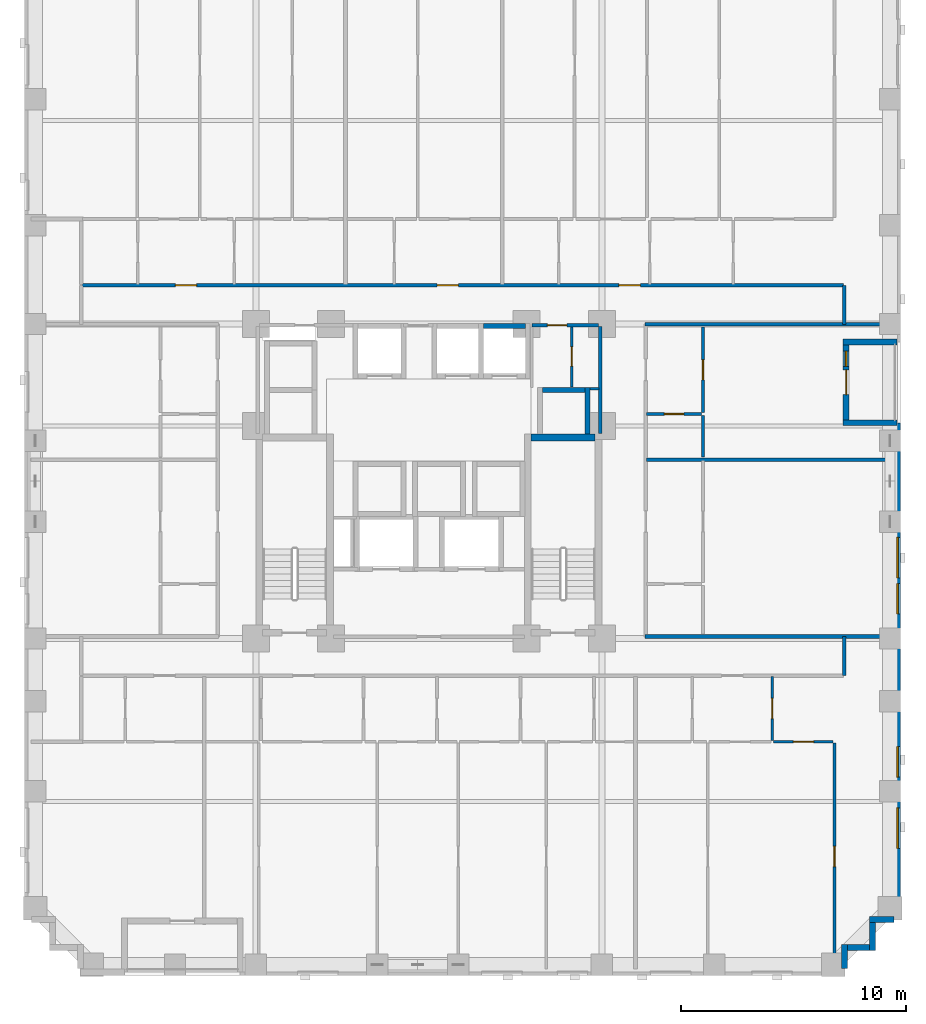
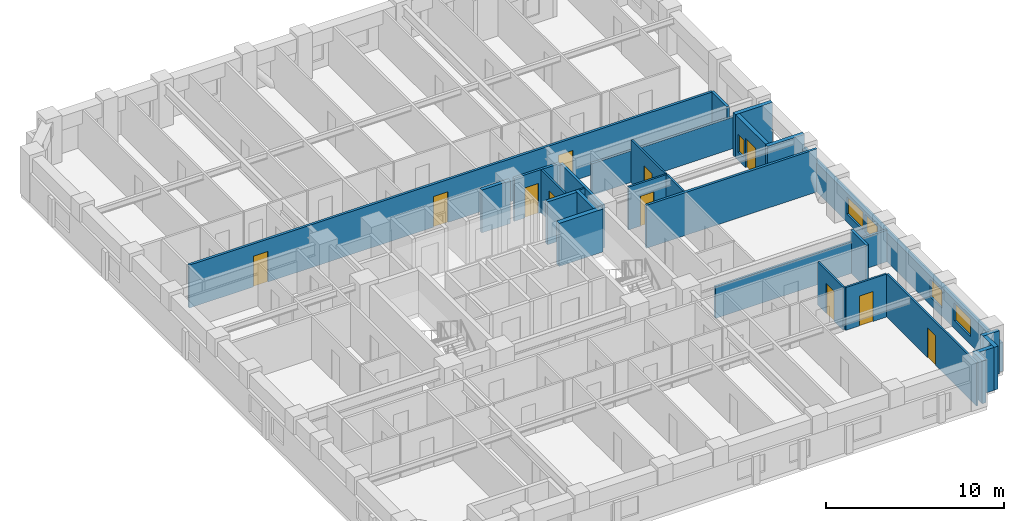
# One storey, part 6 of 13: 28 walls, 11 doors, 5 windows, 16 openings.
"""IFC4 building model written with IfcOpenShell, lengths in metres."""

from ifc_helpers import new_model, si_unit, derived_unit, direction, frame, frame_2d, origin, place, context, subcontext, project, spatial, rectangle, extrude, material, layer, layer_set, type_object, element, fill, save


model = new_model("IFC4")

# Units and contexts
model_context = context("Model", 3, precision=1e-05, world=origin(), true_north=direction((0.0, 1.0)))
body_context = subcontext(model_context, "Body", "Model", "MODEL_VIEW")
ifc_project = project(units=[si_unit("LENGTHUNIT", "METRE"), si_unit("AREAUNIT", "SQUARE_METRE"), si_unit("VOLUMEUNIT", "CUBIC_METRE"), si_unit("PLANEANGLEUNIT", "RADIAN"), si_unit("MASSUNIT", "GRAM", prefix="KILO"), derived_unit("THERMALTRANSMITTANCEUNIT", [(si_unit("MASSUNIT", "GRAM", prefix="KILO"), 1), (si_unit("TIMEUNIT", "SECOND"), -3), (si_unit("THERMODYNAMICTEMPERATUREUNIT", "KELVIN"), -1)])], contexts=[model_context])

# Site, building, storey
site_placement = place(None, origin())
site = spatial("IfcSite", under=ifc_project, at=site_placement, CompositionType="ELEMENT")
building_placement = place(site_placement, origin())
building = spatial("IfcBuilding", under=site, at=building_placement, Name="Korrvale Station Residences", CompositionType="ELEMENT")
storey_placement = place(building_placement, frame((0.0, 0.0, 32.199951171875)))
storey = spatial("IfcBuildingStorey", under=building, at=storey_placement, Name="L07", CompositionType="ELEMENT", Elevation=32.199951171875)

# Walls
ifc_material_1 = material(Name="Concrete C70/85", Category="concrete")
ifc_layer_1 = layer(ifc_material_1, 0.300048828125, Name="Concrete C70/85")
ifc_layer_set_1 = layer_set([ifc_layer_1], Name="Concrete C70/85")
wall_type_1 = type_object("IfcWallType", Name="WAL-CORE-300-C70", PredefinedType="SHEAR", material=ifc_layer_set_1)
wall_1_placement = place(storey_placement, frame((30.050048828125, 23.949951171875, 0.0), z_axis=(0.0, 0.0, 1.0), x_axis=(1.0, 0.0, 0.0)))
element("IfcWall", 1, at=wall_1_placement, inside=storey, type_object=wall_type_1, Name="L07 ST-2 Core Shear Wall North", PredefinedType="SHEAR", context=body_context, shape_type="SweptSolid", body=[
    extrude(rectangle(XDim=2.849853515625, YDim=0.300048828125, at=frame_2d((1.4248046875, 0.0))), origin(), (0.0, 0.0, 1.0), 2.93994140625),
])
ifc_material_2 = material(Name="Precast concrete C45/55", Category="concrete")
ifc_layer_2 = layer(ifc_material_2, 0.260009765625, Name="Precast concrete C45/55")
ifc_layer_set_2 = layer_set([ifc_layer_2], Name="Precast concrete C45/55")
wall_type_2 = type_object("IfcWallType", Name="WAL-EXT-LOG260", PredefinedType="SOLIDWALL", material=ifc_layer_set_2)
wall_2_placement = place(storey_placement, frame((46.340087890625, 28.199951171875, 0.0), z_axis=(0.0, 0.0, 1.0), x_axis=(-1.0, 0.0, 0.0)))
element("IfcWall", 2, at=wall_2_placement, inside=storey, type_object=wall_type_2, Name="L07 Recessed Loggia Wall BAL-L07-E1-L", PredefinedType="SOLIDWALL", context=body_context, shape_type="SweptSolid", body=[
    extrude(rectangle(XDim=2.400146484375, YDim=0.260009765625, at=frame_2d((1.2001953125, 0.0))), origin(), (0.0, 0.0, 1.0), 2.93994140625),
])

# Wall, openings, door, window
wall_3_placement = place(storey_placement, frame((44.070068359375, 28.06591796875, 0.0), z_axis=(0.0, 0.0, 1.0), x_axis=(0.0, -1.0, 0.0)))
wall_3 = element("IfcWall", 3, at=wall_3_placement, inside=storey, type_object=wall_type_2, Name="L07 Recessed Loggia Wall BAL-L07-E1-B", PredefinedType="SOLIDWALL", context=body_context, shape_type="SweptSolid", body=[
    extrude(rectangle(XDim=3.33203125, YDim=0.260009765625, at=frame_2d((1.666015625, 0.0))), origin(), (0.0, 0.0, 1.0), 2.93994140625),
])
opening_1_placement = place(wall_3_placement, frame((1.115966796875, 0.0, 0.0)))
opening_1 = element("IfcOpeningElement", 4, at=opening_1_placement, cuts=wall_3, Name="Opening BD-01", PredefinedType="OPENING", context=body_context, shape_type="SweptSolid", body=[
    extrude(rectangle(XDim=1.10009765625, YDim=2.0, at=frame_2d((0.550048828125, 1.0))), frame((0.0, 0.14013671875, 0.0), z_axis=(0.0, -1.0, 0.0), x_axis=(1.0, 0.0, 0.0)), (0.0, 0.0, 1.0), 0.280029296875),
])
opening_2_placement = place(wall_3_placement, frame((0.27587890625, 0.0, 0.550048828125)))
opening_2 = element("IfcOpeningElement", 5, at=opening_2_placement, cuts=wall_3, Name="Opening W-12", PredefinedType="OPENING", context=body_context, shape_type="SweptSolid", body=[
    extrude(rectangle(XDim=0.679931640625, YDim=1.199951171875, at=frame_2d((0.33984375, 0.60009765625))), frame((0.0, 0.14013671875, 0.0), z_axis=(0.0, -1.0, 0.0), x_axis=(1.0, 0.0, 0.0)), (0.0, 0.0, 1.0), 0.280029296875),
])
ifc_material_3 = material(Name="Exterior thermally broken aluminium glazed balcony door", Category="aluminium")
door_type_1 = type_object("IfcDoorType", Name="DR-EXT-BAL", OperationType="NOTDEFINED", PredefinedType="DOOR", material=ifc_material_3)
door_1_placement = place(opening_1_placement, origin())
door_1 = element("IfcDoor", 6, at=door_1_placement, inside=storey, type_object=door_type_1, Name="L07 Loggia Balcony Door BAL-L07-E1", OperationType="SINGLE_SWING_LEFT", OverallHeight=2.0, OverallWidth=1.10009765625, PredefinedType="DOOR", context=body_context, shape_type="SweptSolid", body=[
    extrude(rectangle(XDim=1.10009765625, YDim=2.0, at=frame_2d((0.550048828125, 1.0))), frame((0.0, 0.02490234375, 0.0), z_axis=(0.0, -1.0, 0.0), x_axis=(1.0, 0.0, 0.0)), (0.0, 0.0, 1.0), 0.050048828125),
])
fill(opening_1, door_1)
ifc_material_4 = material(Name="Thermally broken aluminium frame with triple low-e glazing", Category="aluminium")
window_type_1 = type_object("IfcWindowType", Name="WIN-W12", PartitioningType="SINGLE_PANEL", PredefinedType="WINDOW", material=ifc_material_4)
window_1_placement = place(opening_2_placement, origin())
window_1 = element("IfcWindow", 7, at=window_1_placement, inside=storey, type_object=window_type_1, Name="L07 Punched Window 26", OverallHeight=1.199951171875, OverallWidth=0.679931640625, PartitioningType="SINGLE_PANEL", PredefinedType="WINDOW", context=body_context, shape_type="SweptSolid", body=[
    extrude(rectangle(XDim=0.679931640625, YDim=1.199951171875, at=frame_2d((0.33984375, 0.60009765625))), frame((0.0, 0.030029296875, 0.0), z_axis=(0.0, -1.0, 0.0), x_axis=(1.0, 0.0, 0.0)), (0.0, 0.0, 1.0), 0.06005859375),
])
fill(opening_2, window_1)

# Walls
wall_4_placement = place(storey_placement, frame((43.93994140625, 24.60009765625, 0.0), z_axis=(0.0, 0.0, 1.0), x_axis=(1.0, 0.0, 0.0)))
element("IfcWall", 8, at=wall_4_placement, inside=storey, type_object=wall_type_2, Name="L07 Recessed Loggia Wall BAL-L07-E1-R", PredefinedType="SOLIDWALL", context=body_context, shape_type="SweptSolid", body=[
    extrude(rectangle(XDim=2.400146484375, YDim=0.260009765625, at=frame_2d((1.2001953125, 0.0))), origin(), (0.0, 0.0, 1.0), 2.93994140625),
])
wall_5_placement = place(storey_placement, frame((46.197998046875, 2.5, 0.0), z_axis=(0.0, 0.0, 1.0), x_axis=(-1.0, 0.0, 0.0)))
element("IfcWall", 9, at=wall_5_placement, inside=storey, type_object=wall_type_2, Name="L07 Serrated Corner Precast Step SE-1", PredefinedType="SOLIDWALL", context=body_context, shape_type="SweptSolid", body=[
    extrude(rectangle(XDim=1.077880859375, YDim=0.260009765625, at=frame_2d((0.5390625, 0.0))), origin(), (0.0, 0.0, 1.0), 2.93994140625),
])
wall_6_placement = place(storey_placement, frame((45.25, 2.367919921875, 0.0), z_axis=(0.0, 0.0, 1.0), x_axis=(0.0, -1.0, 0.0)))
element("IfcWall", 10, at=wall_6_placement, inside=storey, type_object=wall_type_2, Name="L07 Serrated Corner Precast Step SE-2", PredefinedType="SOLIDWALL", context=body_context, shape_type="SweptSolid", body=[
    extrude(rectangle(XDim=1.247802734375, YDim=0.260009765625, at=frame_2d((0.6240234375, 0.0))), origin(), (0.0, 0.0, 1.0), 2.93994140625),
])
wall_7_placement = place(storey_placement, frame((45.117919921875, 1.25, 0.0), z_axis=(0.0, 0.0, 1.0), x_axis=(-1.0, 0.0, 0.0)))
element("IfcWall", 11, at=wall_7_placement, inside=storey, type_object=wall_type_2, Name="L07 Serrated Corner Precast Step SE-3", PredefinedType="SOLIDWALL", context=body_context, shape_type="SweptSolid", body=[
    extrude(rectangle(XDim=0.98583984375, YDim=0.260009765625, at=frame_2d((0.492919921875, 0.0))), origin(), (0.0, 0.0, 1.0), 2.93994140625),
])
wall_8_placement = place(storey_placement, frame((44.0, 1.3798828125, 0.0), z_axis=(0.0, 0.0, 1.0), x_axis=(0.0, -1.0, 0.0)))
element("IfcWall", 12, at=wall_8_placement, inside=storey, type_object=wall_type_2, Name="L07 Serrated Corner Precast Step SE-4", PredefinedType="SOLIDWALL", context=body_context, shape_type="SweptSolid", body=[
    extrude(rectangle(XDim=1.077880859375, YDim=0.260009765625, at=frame_2d((0.5390625, 0.0))), origin(), (0.0, 0.0, 1.0), 2.93994140625),
])

# Wall, openings, windows
ifc_layer_3 = layer(ifc_material_2, 0.300048828125, Name="Precast concrete C45/55")
ifc_layer_set_3 = layer_set([ifc_layer_3], Name="Precast concrete C45/55")
wall_type_3 = type_object("IfcWallType", Name="WAL-EXT-PC300", PredefinedType="SOLIDWALL", material=ifc_layer_set_3)
wall_9_placement = place(storey_placement, frame((46.35009765625, 24.60009765625, 0.0), z_axis=(0.0, 0.0, 1.0), x_axis=(0.0, -1.0, 0.0)))
wall_9 = element("IfcWall", 13, at=wall_9_placement, inside=storey, type_object=wall_type_3, Name="L07 East Exterior Precast Wall 2", PredefinedType="SOLIDWALL", context=body_context, shape_type="SweptSolid", body=[
    extrude(rectangle(XDim=22.10009765625, YDim=0.300048828125, at=frame_2d((11.050048828125, 0.0))), origin(), (0.0, 0.0, 1.0), 1.97509765625),
])
opening_3_placement = place(wall_9_placement, frame((17.14111328125, 0.0, 0.550048828125)))
opening_3 = element("IfcOpeningElement", 14, at=opening_3_placement, cuts=wall_9, Name="Opening W-09", PredefinedType="OPENING", context=body_context, shape_type="SweptSolid", body=[
    extrude(rectangle(XDim=1.800048828125, YDim=1.199951171875, at=frame_2d((0.89990234375, 0.60009765625))), frame((0.0, 0.16015625, 0.0), z_axis=(0.0, -1.0, 0.0), x_axis=(1.0, 0.0, 0.0)), (0.0, 0.0, 1.0), 0.320068359375),
])
opening_4_placement = place(wall_9_placement, frame((14.4150390625, 0.0, 0.550048828125)))
opening_4 = element("IfcOpeningElement", 15, at=opening_4_placement, cuts=wall_9, Name="Opening W-10", PredefinedType="OPENING", context=body_context, shape_type="SweptSolid", body=[
    extrude(rectangle(XDim=1.35009765625, YDim=1.199951171875, at=frame_2d((0.675048828125, 0.60009765625))), frame((0.0, 0.16015625, 0.0), z_axis=(0.0, -1.0, 0.0), x_axis=(1.0, 0.0, 0.0)), (0.0, 0.0, 1.0), 0.320068359375),
])
opening_5_placement = place(wall_9_placement, frame((5.10009765625, 0.0, 0.550048828125)))
opening_5 = element("IfcOpeningElement", 16, at=opening_5_placement, cuts=wall_9, Name="Opening W-09", PredefinedType="OPENING", context=body_context, shape_type="SweptSolid", body=[
    extrude(rectangle(XDim=1.800048828125, YDim=1.199951171875, at=frame_2d((0.89990234375, 0.60009765625))), frame((0.0, 0.16015625, 0.0), z_axis=(0.0, -1.0, 0.0), x_axis=(1.0, 0.0, 0.0)), (0.0, 0.0, 1.0), 0.320068359375),
])
opening_6_placement = place(wall_9_placement, frame((7.159912109375, 0.0, 0.550048828125)))
opening_6 = element("IfcOpeningElement", 17, at=opening_6_placement, cuts=wall_9, Name="Opening W-10", PredefinedType="OPENING", context=body_context, shape_type="SweptSolid", body=[
    extrude(rectangle(XDim=1.35009765625, YDim=1.199951171875, at=frame_2d((0.675048828125, 0.60009765625))), frame((0.0, 0.16015625, 0.0), z_axis=(0.0, -1.0, 0.0), x_axis=(1.0, 0.0, 0.0)), (0.0, 0.0, 1.0), 0.320068359375),
])
window_type_2 = type_object("IfcWindowType", Name="WIN-W09", PartitioningType="DOUBLE_PANEL_VERTICAL", PredefinedType="WINDOW", material=ifc_material_4)
window_2_placement = place(opening_3_placement, origin())
window_2 = element("IfcWindow", 18, at=window_2_placement, inside=storey, type_object=window_type_2, Name="L07 Punched Window 08", OverallHeight=1.199951171875, OverallWidth=1.800048828125, PartitioningType="DOUBLE_PANEL_VERTICAL", PredefinedType="WINDOW", context=body_context, shape_type="SweptSolid", body=[
    extrude(rectangle(XDim=1.800048828125, YDim=1.199951171875, at=frame_2d((0.89990234375, 0.60009765625))), frame((0.0, 0.030029296875, 0.0), z_axis=(0.0, -1.0, 0.0), x_axis=(1.0, 0.0, 0.0)), (0.0, 0.0, 1.0), 0.06005859375),
])
fill(opening_3, window_2)
window_3_placement = place(opening_5_placement, origin())
window_3 = element("IfcWindow", 19, at=window_3_placement, inside=storey, type_object=window_type_2, Name="L07 Punched Window 24", OverallHeight=1.199951171875, OverallWidth=1.800048828125, PartitioningType="DOUBLE_PANEL_VERTICAL", PredefinedType="WINDOW", context=body_context, shape_type="SweptSolid", body=[
    extrude(rectangle(XDim=1.800048828125, YDim=1.199951171875, at=frame_2d((0.89990234375, 0.60009765625))), frame((0.0, 0.030029296875, 0.0), z_axis=(0.0, -1.0, 0.0), x_axis=(1.0, 0.0, 0.0)), (0.0, 0.0, 1.0), 0.06005859375),
])
fill(opening_5, window_3)
window_type_3 = type_object("IfcWindowType", Name="WIN-W10", PartitioningType="SINGLE_PANEL", PredefinedType="WINDOW", material=ifc_material_4)
window_4_placement = place(opening_4_placement, origin())
window_4 = element("IfcWindow", 20, at=window_4_placement, inside=storey, type_object=window_type_3, Name="L07 Punched Window 09", OverallHeight=1.199951171875, OverallWidth=1.35009765625, PartitioningType="SINGLE_PANEL", PredefinedType="WINDOW", context=body_context, shape_type="SweptSolid", body=[
    extrude(rectangle(XDim=1.35009765625, YDim=1.199951171875, at=frame_2d((0.675048828125, 0.60009765625))), frame((0.0, 0.030029296875, 0.0), z_axis=(0.0, -1.0, 0.0), x_axis=(1.0, 0.0, 0.0)), (0.0, 0.0, 1.0), 0.06005859375),
])
fill(opening_4, window_4)
window_5_placement = place(opening_6_placement, origin())
window_5 = element("IfcWindow", 21, at=window_5_placement, inside=storey, type_object=window_type_3, Name="L07 Punched Window 25", OverallHeight=1.199951171875, OverallWidth=1.35009765625, PartitioningType="SINGLE_PANEL", PredefinedType="WINDOW", context=body_context, shape_type="SweptSolid", body=[
    extrude(rectangle(XDim=1.35009765625, YDim=1.199951171875, at=frame_2d((0.675048828125, 0.60009765625))), frame((0.0, 0.030029296875, 0.0), z_axis=(0.0, -1.0, 0.0), x_axis=(1.0, 0.0, 0.0)), (0.0, 0.0, 1.0), 0.06005859375),
])
fill(opening_6, window_5)

# Wall
ifc_material_5 = material(Name="Acoustic steel-stud gypsum board partition", Category="steel")
ifc_layer_4 = layer(ifc_material_5, 0.1201171875, Name="Acoustic steel-stud gypsum board partition")
ifc_layer_set_4 = layer_set([ifc_layer_4], Name="Acoustic steel-stud gypsum board partition")
wall_type_4 = type_object("IfcWallType", Name="WAL-PART-125", PredefinedType="PARTITIONING", material=ifc_layer_set_4)
wall_10_placement = place(storey_placement, frame((32.679931640625, 26.1201171875, 0.0), z_axis=(0.0, 0.0, 1.0), x_axis=(1.0, 0.0, 0.0)))
element("IfcWall", 22, at=wall_10_placement, inside=storey, type_object=wall_type_4, Name="L07 Core Partition CW-CS-S", PredefinedType="PARTITIONING", context=body_context, shape_type="SweptSolid", body=[
    extrude(rectangle(XDim=0.380126953125, YDim=0.1201171875, at=frame_2d((0.18994140625, 0.0))), origin(), (0.0, 0.0, 1.0), 2.93994140625),
])

# Wall, opening, door
wall_11_placement = place(storey_placement, frame((31.860107421875, 26.199951171875, 0.0), z_axis=(0.0, 0.0, 1.0), x_axis=(0.0, 1.0, 0.0)))
wall_11 = element("IfcWall", 23, at=wall_11_placement, inside=storey, type_object=wall_type_4, Name="L07 Core Partition CW-CS-MID", PredefinedType="PARTITIONING", context=body_context, shape_type="SweptSolid", body=[
    extrude(rectangle(XDim=2.66015625, YDim=0.1201171875, at=frame_2d((1.330078125, 0.0))), origin(), (0.0, 0.0, 1.0), 2.93994140625),
])
opening_7_placement = place(wall_11_placement, frame((0.919921875, 0.0, 0.0)))
opening_7 = element("IfcOpeningElement", 24, at=opening_7_placement, cuts=wall_11, Name="Opening DB-860", PredefinedType="OPENING", context=body_context, shape_type="SweptSolid", body=[
    extrude(rectangle(XDim=0.860107421875, YDim=2.050048828125, at=frame_2d((0.43017578125, 1.02490234375))), frame((0.0, 0.070068359375, 0.0), z_axis=(0.0, -1.0, 0.0), x_axis=(1.0, 0.0, 0.0)), (0.0, 0.0, 1.0), 0.14013671875),
])
ifc_material_6 = material(Name="Moisture-resistant solid-core bathroom door", Category="timber")
door_type_2 = type_object("IfcDoorType", Name="DR-BATH-860", OperationType="NOTDEFINED", PredefinedType="DOOR", material=ifc_material_6)
door_2_placement = place(opening_7_placement, origin())
door_2 = element("IfcDoor", 25, at=door_2_placement, inside=storey, type_object=door_type_2, Name="L07 Metering Inner Door", OperationType="SINGLE_SWING_RIGHT", OverallHeight=2.050048828125, OverallWidth=0.860107421875, PredefinedType="DOOR", context=body_context, shape_type="SweptSolid", body=[
    extrude(rectangle(XDim=0.860107421875, YDim=2.050048828125, at=frame_2d((0.43017578125, 1.02490234375))), frame((0.0, 0.02490234375, 0.0), z_axis=(0.0, -1.0, 0.0), x_axis=(1.0, 0.0, 0.0)), (0.0, 0.0, 1.0), 0.050048828125),
])
fill(opening_7, door_2)

wall_12_placement = place(storey_placement, frame((40.785888671875, 10.4599609375, 0.0), z_axis=(0.0, 0.0, 1.0), x_axis=(0.0, 1.0, 0.0)))
wall_12 = element("IfcWall", 26, at=wall_12_placement, inside=storey, type_object=wall_type_4, Name="L07 Suite Partition U03-V12", PredefinedType="PARTITIONING", context=body_context, shape_type="SweptSolid", body=[
    extrude(rectangle(XDim=2.85009765625, YDim=0.1201171875, at=frame_2d((1.425048828125, 0.0))), origin(), (0.0, 0.0, 1.0), 2.93994140625),
])
opening_8_placement = place(wall_12_placement, frame((0.97509765625, 0.0, 0.0)))
opening_8 = element("IfcOpeningElement", 27, at=opening_8_placement, cuts=wall_12, Name="Opening DI-900", PredefinedType="OPENING", context=body_context, shape_type="SweptSolid", body=[
    extrude(rectangle(XDim=0.89990234375, YDim=2.050048828125, at=frame_2d((0.449951171875, 1.02490234375))), frame((0.0, 0.070068359375, 0.0), z_axis=(0.0, -1.0, 0.0), x_axis=(1.0, 0.0, 0.0)), (0.0, 0.0, 1.0), 0.14013671875),
])
ifc_material_7 = material(Name="Painted solid-core timber interior room door", Category="wood")
door_type_3 = type_object("IfcDoorType", Name="DR-INT-900", OperationType="NOTDEFINED", PredefinedType="DOOR", material=ifc_material_7)
door_3_placement = place(opening_8_placement, origin())
door_3 = element("IfcDoor", 28, at=door_3_placement, inside=storey, type_object=door_type_3, Name="L07 Studio Apartment L07-U03 Kitchen Door", OperationType="SINGLE_SWING_LEFT", OverallHeight=2.050048828125, OverallWidth=0.89990234375, PredefinedType="DOOR", context=body_context, shape_type="SweptSolid", body=[
    extrude(rectangle(XDim=0.89990234375, YDim=2.050048828125, at=frame_2d((0.449951171875, 1.02490234375))), frame((0.0, 0.02490234375, 0.0), z_axis=(0.0, -1.0, 0.0), x_axis=(1.0, 0.0, 0.0)), (0.0, 0.0, 1.0), 0.050048828125),
])
fill(opening_8, door_3)

wall_13_placement = place(storey_placement, frame((40.845947265625, 10.39990234375, 0.0), z_axis=(0.0, 0.0, 1.0), x_axis=(1.0, 0.0, 0.0)))
wall_13 = element("IfcWall", 29, at=wall_13_placement, inside=storey, type_object=wall_type_4, Name="L07 Suite Partition U03-H24", PredefinedType="PARTITIONING", context=body_context, shape_type="SweptSolid", body=[
    extrude(rectangle(XDim=2.64404296875, YDim=0.1201171875, at=frame_2d((1.322021484375, 0.0))), origin(), (0.0, 0.0, 1.0), 2.93994140625),
])
opening_9_placement = place(wall_13_placement, frame((0.8720703125, 0.0, 0.0)))
opening_9 = element("IfcOpeningElement", 30, at=opening_9_placement, cuts=wall_13, Name="Opening DI-900", PredefinedType="OPENING", context=body_context, shape_type="SweptSolid", body=[
    extrude(rectangle(XDim=0.89990234375, YDim=2.050048828125, at=frame_2d((0.449951171875, 1.02490234375))), frame((0.0, 0.070068359375, 0.0), z_axis=(0.0, -1.0, 0.0), x_axis=(1.0, 0.0, 0.0)), (0.0, 0.0, 1.0), 0.14013671875),
])
door_4_placement = place(opening_9_placement, origin())
door_4 = element("IfcDoor", 31, at=door_4_placement, inside=storey, type_object=door_type_3, Name="L07 Studio Apartment L07-U03 Utility and Laundry Room Door", OperationType="SINGLE_SWING_LEFT", OverallHeight=2.050048828125, OverallWidth=0.89990234375, PredefinedType="DOOR", context=body_context, shape_type="SweptSolid", body=[
    extrude(rectangle(XDim=0.89990234375, YDim=2.050048828125, at=frame_2d((0.449951171875, 1.02490234375))), frame((0.0, 0.02490234375, 0.0), z_axis=(0.0, -1.0, 0.0), x_axis=(1.0, 0.0, 0.0)), (0.0, 0.0, 1.0), 0.050048828125),
])
fill(opening_9, door_4)

wall_14_placement = place(storey_placement, frame((43.550048828125, 0.280029296875, 0.0), z_axis=(0.0, 0.0, 1.0), x_axis=(0.0, 1.0, 0.0)))
wall_14 = element("IfcWall", 32, at=wall_14_placement, inside=storey, type_object=wall_type_4, Name="L07 Suite Partition U03-V45", PredefinedType="PARTITIONING", context=body_context, shape_type="SweptSolid", body=[
    extrude(rectangle(XDim=10.06005859375, YDim=0.1201171875, at=frame_2d((5.030029296875, 0.0))), origin(), (0.0, 0.0, 1.0), 2.93994140625),
])
opening_10_placement = place(wall_14_placement, frame((4.56494140625, 0.0, 0.0)))
opening_10 = element("IfcOpeningElement", 33, at=opening_10_placement, cuts=wall_14, Name="Opening DI-900", PredefinedType="OPENING", context=body_context, shape_type="SweptSolid", body=[
    extrude(rectangle(XDim=0.89990234375, YDim=2.050048828125, at=frame_2d((0.449951171875, 1.02490234375))), frame((0.0, 0.070068359375, 0.0), z_axis=(0.0, -1.0, 0.0), x_axis=(1.0, 0.0, 0.0)), (0.0, 0.0, 1.0), 0.14013671875),
])
door_5_placement = place(opening_10_placement, origin())
door_5 = element("IfcDoor", 34, at=door_5_placement, inside=storey, type_object=door_type_3, Name="L07 Studio Apartment L07-U03 Studio Living Room Door", OperationType="SINGLE_SWING_LEFT", OverallHeight=2.050048828125, OverallWidth=0.89990234375, PredefinedType="DOOR", context=body_context, shape_type="SweptSolid", body=[
    extrude(rectangle(XDim=0.89990234375, YDim=2.050048828125, at=frame_2d((0.449951171875, 1.02490234375))), frame((0.0, 0.02490234375, 0.0), z_axis=(0.0, -1.0, 0.0), x_axis=(1.0, 0.0, 0.0)), (0.0, 0.0, 1.0), 0.050048828125),
])
fill(opening_10, door_5)

wall_15_placement = place(storey_placement, frame((35.18994140625, 24.991943359375, 0.0), z_axis=(0.0, 0.0, 1.0), x_axis=(1.0, 0.0, 0.0)))
wall_15 = element("IfcWall", 35, at=wall_15_placement, inside=storey, type_object=wall_type_4, Name="L07 Suite Partition U10-H01", PredefinedType="PARTITIONING", context=body_context, shape_type="SweptSolid", body=[
    extrude(rectangle(XDim=2.449951171875, YDim=0.1201171875, at=frame_2d((1.22509765625, 0.0))), origin(), (0.0, 0.0, 1.0), 2.93994140625),
])
opening_11_placement = place(wall_15_placement, frame((0.794921875, 0.0, 0.0)))
opening_11 = element("IfcOpeningElement", 36, at=opening_11_placement, cuts=wall_15, Name="Opening DB-860", PredefinedType="OPENING", context=body_context, shape_type="SweptSolid", body=[
    extrude(rectangle(XDim=0.860107421875, YDim=2.050048828125, at=frame_2d((0.43017578125, 1.02490234375))), frame((0.0, 0.070068359375, 0.0), z_axis=(0.0, -1.0, 0.0), x_axis=(1.0, 0.0, 0.0)), (0.0, 0.0, 1.0), 0.14013671875),
])
door_6_placement = place(opening_11_placement, origin())
door_6 = element("IfcDoor", 37, at=door_6_placement, inside=storey, type_object=door_type_2, Name="L07 Apartment 1BR L07-U10 Bathroom Door", OperationType="SINGLE_SWING_RIGHT", OverallHeight=2.050048828125, OverallWidth=0.860107421875, PredefinedType="DOOR", context=body_context, shape_type="SweptSolid", body=[
    extrude(rectangle(XDim=0.860107421875, YDim=2.050048828125, at=frame_2d((0.43017578125, 1.02490234375))), frame((0.0, 0.02490234375, 0.0), z_axis=(0.0, -1.0, 0.0), x_axis=(1.0, 0.0, 0.0)), (0.0, 0.0, 1.0), 0.050048828125),
])
fill(opening_11, door_6)

# Wall
wall_16_placement = place(storey_placement, frame((37.699951171875, 23.08203125, 0.0), z_axis=(0.0, 0.0, 1.0), x_axis=(0.0, 1.0, 0.0)))
element("IfcWall", 38, at=wall_16_placement, inside=storey, type_object=wall_type_4, Name="L07 Suite Partition U10-V02", PredefinedType="PARTITIONING", context=body_context, shape_type="SweptSolid", body=[
    extrude(rectangle(XDim=1.849853515625, YDim=0.1201171875, at=frame_2d((0.9248046875, 0.0))), origin(), (0.0, 0.0, 1.0), 2.93994140625),
])

# Wall, opening, door
wall_17_placement = place(storey_placement, frame((37.699951171875, 25.052001953125, 0.0), z_axis=(0.0, 0.0, 1.0), x_axis=(0.0, 1.0, 0.0)))
wall_17 = element("IfcWall", 39, at=wall_17_placement, inside=storey, type_object=wall_type_4, Name="L07 Suite Partition U10-V12", PredefinedType="PARTITIONING", context=body_context, shape_type="SweptSolid", body=[
    extrude(rectangle(XDim=3.80810546875, YDim=0.1201171875, at=frame_2d((1.904052734375, 0.0))), origin(), (0.0, 0.0, 1.0), 2.93994140625),
])
opening_12_placement = place(wall_17_placement, frame((1.4541015625, 0.0, 0.0)))
opening_12 = element("IfcOpeningElement", 40, at=opening_12_placement, cuts=wall_17, Name="Opening DI-900", PredefinedType="OPENING", context=body_context, shape_type="SweptSolid", body=[
    extrude(rectangle(XDim=0.89990234375, YDim=2.050048828125, at=frame_2d((0.449951171875, 1.02490234375))), frame((0.0, 0.070068359375, 0.0), z_axis=(0.0, -1.0, 0.0), x_axis=(1.0, 0.0, 0.0)), (0.0, 0.0, 1.0), 0.14013671875),
])
door_7_placement = place(opening_12_placement, origin())
door_7 = element("IfcDoor", 41, at=door_7_placement, inside=storey, type_object=door_type_3, Name="L07 Apartment 1BR L07-U10 Kitchen Door", OperationType="SINGLE_SWING_LEFT", OverallHeight=2.050048828125, OverallWidth=0.89990234375, PredefinedType="DOOR", context=body_context, shape_type="SweptSolid", body=[
    extrude(rectangle(XDim=0.89990234375, YDim=2.050048828125, at=frame_2d((0.449951171875, 1.02490234375))), frame((0.0, 0.02490234375, 0.0), z_axis=(0.0, -1.0, 0.0), x_axis=(1.0, 0.0, 0.0)), (0.0, 0.0, 1.0), 0.050048828125),
])
fill(opening_12, door_7)

# Wall
ifc_material_8 = material(Name="Fire-rated twin-stud gypsum and mineral wool shaftwall assembly", Category="gypsum")
ifc_layer_5 = layer(ifc_material_8, 0.159912109375, Name="Fire-rated twin-stud gypsum and mineral wool shaftwall assembly")
ifc_layer_set_5 = layer_set([ifc_layer_5], Name="Fire-rated twin-stud gypsum and mineral wool shaftwall assembly")
wall_type_5 = type_object("IfcWallType", Name="WAL-PART-200", PredefinedType="PARTITIONING", material=ifc_layer_set_5)
wall_18_placement = place(storey_placement, frame((33.1201171875, 24.1201171875, 0.0), z_axis=(0.0, 0.0, 1.0), x_axis=(0.0, 1.0, 0.0)))
element("IfcWall", 42, at=wall_18_placement, inside=storey, type_object=wall_type_5, Name="L07 Core Partition CW-E-N", PredefinedType="PARTITIONING", context=body_context, shape_type="SweptSolid", body=[
    extrude(rectangle(XDim=4.759765625, YDim=0.159912109375, at=frame_2d((2.3798828125, 0.0))), origin(), (0.0, 0.0, 1.0), 2.93994140625),
])

# Wall, opening, door
wall_19_placement = place(storey_placement, frame((30.080078125, 28.949951171875, 0.0), z_axis=(0.0, 0.0, 1.0), x_axis=(1.0, 0.0, 0.0)))
wall_19 = element("IfcWall", 43, at=wall_19_placement, inside=storey, type_object=wall_type_5, Name="L07 Core Partition CW-CS-N", PredefinedType="PARTITIONING", context=body_context, shape_type="SweptSolid", body=[
    extrude(rectangle(XDim=2.9599609375, YDim=0.159912109375, at=frame_2d((1.47998046875, 0.0))), origin(), (0.0, 0.0, 1.0), 2.93994140625),
])
opening_13_placement = place(wall_19_placement, frame((0.695068359375, 0.0, 0.0)))
opening_13 = element("IfcOpeningElement", 44, at=opening_13_placement, cuts=wall_19, Name="Opening DB-860", PredefinedType="OPENING", context=body_context, shape_type="SweptSolid", body=[
    extrude(rectangle(XDim=0.860107421875, YDim=2.050048828125, at=frame_2d((0.43017578125, 1.02490234375))), frame((0.0, 0.08984375, 0.0), z_axis=(0.0, -1.0, 0.0), x_axis=(1.0, 0.0, 0.0)), (0.0, 0.0, 1.0), 0.179931640625),
])
door_8_placement = place(opening_13_placement, origin())
door_8 = element("IfcDoor", 45, at=door_8_placement, inside=storey, type_object=door_type_2, Name="L07 Housekeeping Supply Door", OperationType="SINGLE_SWING_LEFT", OverallHeight=2.050048828125, OverallWidth=0.860107421875, PredefinedType="DOOR", context=body_context, shape_type="SweptSolid", body=[
    extrude(rectangle(XDim=0.860107421875, YDim=2.050048828125, at=frame_2d((0.43017578125, 1.02490234375))), frame((0.0, 0.02490234375, 0.0), z_axis=(0.0, -1.0, 0.0), x_axis=(1.0, 0.0, 0.0)), (0.0, 0.0, 1.0), 0.050048828125),
])
fill(opening_13, door_8)

# Walls
for number, where, z_axis, x_axis, name in (
    (46, (43.97998046875, 13.35009765625, 0.0), (0.0, 0.0, 1.0), (0.0, 1.0, 0.0), "L07 Corridor South East Cap"),
    (47, (43.97998046875, 28.97998046875, 0.0), (0.0, 0.0, 1.0), (0.0, 1.0, 0.0), "L07 Corridor North East Cap"),
):
    element("IfcWall", number, at=place(storey_placement, frame(where, z_axis=z_axis, x_axis=x_axis)), inside=storey, type_object=wall_type_5, Name=name, PredefinedType="PARTITIONING", context=body_context, shape_type="SweptSolid", body=[
        extrude(rectangle(XDim=1.739990234375, YDim=0.159912109375, at=frame_2d((0.8701171875, 0.0))), origin(), (0.0, 0.0, 1.0), 2.93994140625),
    ])
for number, where, z_axis, x_axis, name in (
    (48, (35.110107421875, 15.090087890625, 0.0), (0.0, 0.0, 1.0), (1.0, 0.0, 0.0), "L07 East Wing South Corridor Wall"),
    (49, (35.110107421875, 28.97998046875, 0.0), (0.0, 0.0, 1.0), (1.0, 0.0, 0.0), "L07 East Wing North Corridor Wall"),
):
    element("IfcWall", number, at=place(storey_placement, frame(where, z_axis=z_axis, x_axis=x_axis)), inside=storey, type_object=wall_type_5, Name=name, PredefinedType="PARTITIONING", context=body_context, shape_type="SweptSolid", body=[
        extrude(rectangle(XDim=11.10986328125, YDim=0.159912109375, at=frame_2d((5.554931640625, 0.0))), origin(), (0.0, 0.0, 1.0), 2.155029296875),
    ])
wall_20_placement = place(storey_placement, frame((35.18994140625, 22.9619140625, 0.0), z_axis=(0.0, 0.0, 1.0), x_axis=(1.0, 0.0, 0.0)))
element("IfcWall", 50, at=wall_20_placement, inside=storey, type_object=wall_type_5, Name="L07 Demising Wall U09-N", PredefinedType="PARTITIONING", context=body_context, shape_type="SweptSolid", body=[
    extrude(rectangle(XDim=11.030029296875, YDim=0.159912109375, at=frame_2d((5.51513671875, 0.0))), origin(), (0.0, 0.0, 1.0), 2.93994140625),
])

# Wall, openings, doors
wall_21_placement = place(storey_placement, frame((10.050048828125, 30.719970703125, 0.0), z_axis=(0.0, 0.0, 1.0), x_axis=(1.0, 0.0, 0.0)))
wall_21 = element("IfcWall", 51, at=wall_21_placement, inside=storey, type_object=wall_type_5, Name="L07 Rated Corridor Wall N", PredefinedType="PARTITIONING", context=body_context, shape_type="SweptSolid", body=[
    extrude(rectangle(XDim=33.89990234375, YDim=0.159912109375, at=frame_2d((16.949951171875, 0.0))), origin(), (0.0, 0.0, 1.0), 2.93994140625),
])
opening_14_placement = place(wall_21_placement, frame((4.1650390625, 0.0, 0.0)))
opening_14 = element("IfcOpeningElement", 52, at=opening_14_placement, cuts=wall_21, Name="Opening UD-950", PredefinedType="OPENING", context=body_context, shape_type="SweptSolid", body=[
    extrude(rectangle(XDim=0.949951171875, YDim=2.10009765625, at=frame_2d((0.47509765625, 1.050048828125))), frame((0.0, 0.08984375, 0.0), z_axis=(0.0, -1.0, 0.0), x_axis=(1.0, 0.0, 0.0)), (0.0, 0.0, 1.0), 0.179931640625),
])
opening_15_placement = place(wall_21_placement, frame((15.81298828125, 0.0, 0.0)))
opening_15 = element("IfcOpeningElement", 53, at=opening_15_placement, cuts=wall_21, Name="Opening UD-950", PredefinedType="OPENING", context=body_context, shape_type="SweptSolid", body=[
    extrude(rectangle(XDim=0.949951171875, YDim=2.10009765625, at=frame_2d((0.47509765625, 1.050048828125))), frame((0.0, 0.08984375, 0.0), z_axis=(0.0, -1.0, 0.0), x_axis=(1.0, 0.0, 0.0)), (0.0, 0.0, 1.0), 0.179931640625),
])
opening_16_placement = place(wall_21_placement, frame((23.909912109375, 0.0, 0.0)))
opening_16 = element("IfcOpeningElement", 54, at=opening_16_placement, cuts=wall_21, Name="Opening UD-950", PredefinedType="OPENING", context=body_context, shape_type="SweptSolid", body=[
    extrude(rectangle(XDim=0.949951171875, YDim=2.10009765625, at=frame_2d((0.47509765625, 1.050048828125))), frame((0.0, 0.08984375, 0.0), z_axis=(0.0, -1.0, 0.0), x_axis=(1.0, 0.0, 0.0)), (0.0, 0.0, 1.0), 0.179931640625),
])
ifc_material_9 = material(Name="Solid-core acoustic oak apartment entrance door", Category="timber")
door_type_4 = type_object("IfcDoorType", Name="DR-UNIT-950", OperationType="NOTDEFINED", PredefinedType="DOOR", material=ifc_material_9)
door_9_placement = place(opening_14_placement, origin())
door_9 = element("IfcDoor", 55, at=door_9_placement, inside=storey, type_object=door_type_4, Name="L07 Apartment L07-U04 Entrance Door", OperationType="SINGLE_SWING_LEFT", OverallHeight=2.10009765625, OverallWidth=0.949951171875, PredefinedType="DOOR", context=body_context, shape_type="SweptSolid", body=[
    extrude(rectangle(XDim=0.949951171875, YDim=2.10009765625, at=frame_2d((0.47509765625, 1.050048828125))), frame((0.0, 0.02490234375, 0.0), z_axis=(0.0, -1.0, 0.0), x_axis=(1.0, 0.0, 0.0)), (0.0, 0.0, 1.0), 0.050048828125),
])
fill(opening_14, door_9)
door_10_placement = place(opening_15_placement, origin())
door_10 = element("IfcDoor", 56, at=door_10_placement, inside=storey, type_object=door_type_4, Name="L07 Apartment L07-U05 Entrance Door", OperationType="SINGLE_SWING_RIGHT", OverallHeight=2.10009765625, OverallWidth=0.949951171875, PredefinedType="DOOR", context=body_context, shape_type="SweptSolid", body=[
    extrude(rectangle(XDim=0.949951171875, YDim=2.10009765625, at=frame_2d((0.47509765625, 1.050048828125))), frame((0.0, 0.02490234375, 0.0), z_axis=(0.0, -1.0, 0.0), x_axis=(1.0, 0.0, 0.0)), (0.0, 0.0, 1.0), 0.050048828125),
])
fill(opening_15, door_10)
door_11_placement = place(opening_16_placement, origin())
door_11 = element("IfcDoor", 57, at=door_11_placement, inside=storey, type_object=door_type_4, Name="L07 Apartment L07-U06 Entrance Door", OperationType="SINGLE_SWING_LEFT", OverallHeight=2.10009765625, OverallWidth=0.949951171875, PredefinedType="DOOR", context=body_context, shape_type="SweptSolid", body=[
    extrude(rectangle(XDim=0.949951171875, YDim=2.10009765625, at=frame_2d((0.47509765625, 1.050048828125))), frame((0.0, 0.02490234375, 0.0), z_axis=(0.0, -1.0, 0.0), x_axis=(1.0, 0.0, 0.0)), (0.0, 0.0, 1.0), 0.050048828125),
])
fill(opening_16, door_11)

# Walls
ifc_layer_6 = layer(ifc_material_1, 0.219970703125, Name="Concrete C70/85")
ifc_layer_set_6 = layer_set([ifc_layer_6], Name="Concrete C70/85")
wall_type_6 = type_object("IfcWallType", Name="WAL-SHAFT-220-C70", PredefinedType="SHEAR", material=ifc_layer_set_6)
wall_22_placement = place(storey_placement, frame((27.929931640625, 28.909912109375, 0.0), z_axis=(0.0, 0.0, 1.0), x_axis=(1.0, 0.0, 0.0)))
element("IfcWall", 58, at=wall_22_placement, inside=storey, type_object=wall_type_6, Name="L07 Elevator PL-3 Hoistway Wall North", PredefinedType="SHEAR", context=body_context, shape_type="SweptSolid", body=[
    extrude(rectangle(XDim=1.860107421875, YDim=0.219970703125, at=frame_2d((0.93017578125, 0.0))), origin(), (0.0, 0.0, 1.0), 2.93994140625),
])
wall_23_placement = place(storey_placement, frame((30.550048828125, 26.06005859375, 0.0), z_axis=(0.0, 0.0, 1.0), x_axis=(1.0, 0.0, 0.0)))
element("IfcWall", 59, at=wall_23_placement, inside=storey, type_object=wall_type_6, Name="L07 Elevator PH-3 Hoistway Wall North", PredefinedType="SHEAR", context=body_context, shape_type="SweptSolid", body=[
    extrude(rectangle(XDim=1.89990234375, YDim=0.219970703125, at=frame_2d((0.949951171875, 0.0))), origin(), (0.0, 0.0, 1.0), 2.93994140625),
])
wall_24_placement = place(storey_placement, frame((32.56005859375, 24.10009765625, 0.0), z_axis=(0.0, 0.0, 1.0), x_axis=(0.0, 1.0, 0.0)))
element("IfcWall", 60, at=wall_24_placement, inside=storey, type_object=wall_type_6, Name="L07 Elevator PH-3 Hoistway Wall East", PredefinedType="SHEAR", context=body_context, shape_type="SweptSolid", body=[
    extrude(rectangle(XDim=2.06982421875, YDim=0.219970703125, at=frame_2d((1.034912109375, 0.0))), origin(), (0.0, 0.0, 1.0), 2.93994140625),
])

save(model, "model.ifc")
